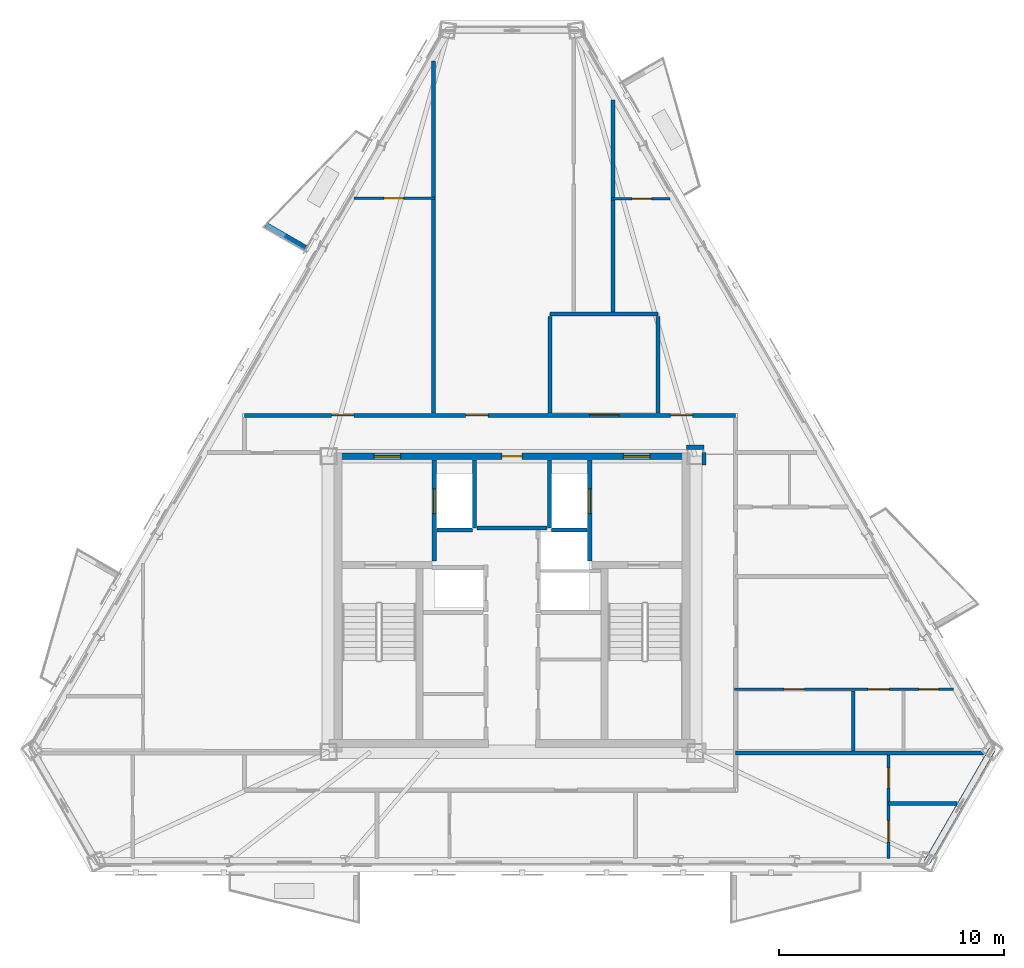
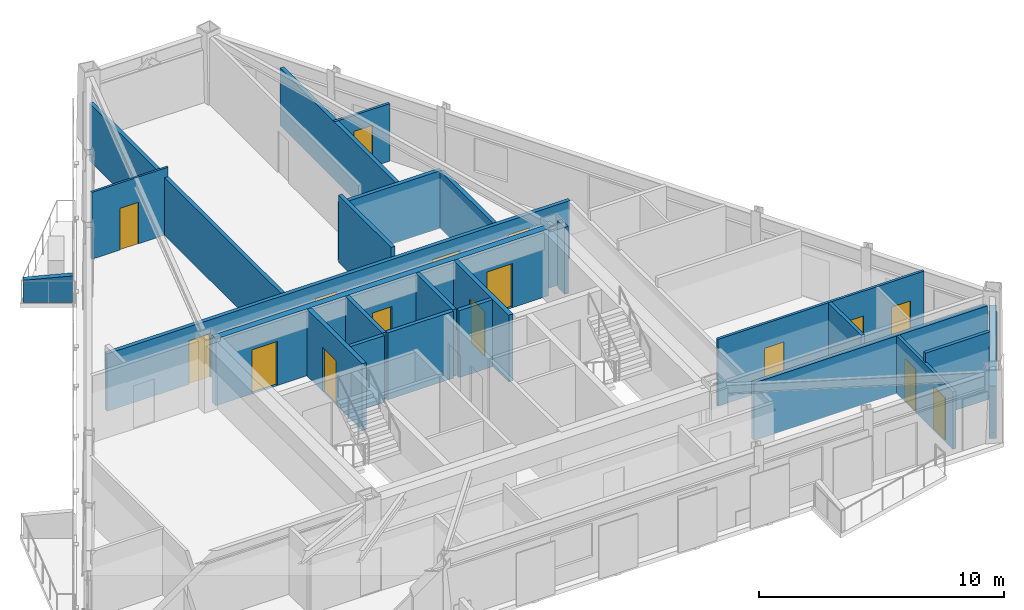
# One storey, part 4 of 8: 25 walls, 16 doors, 16 openings.
"""IFC4 building model written with IfcOpenShell, lengths in metres."""

from ifc_helpers import new_model, si_unit, direction, frame, frame_2d, origin, place, context, subcontext, project, spatial, polyline, rectangle, outline, extrude, material, layer, layer_set, type_object, element, fill, save


model = new_model("IFC4")

# Units and contexts
model_context = context("Model", 3, precision=1e-05, world=origin(), true_north=direction((0.0, 1.0)))
body_context = subcontext(model_context, "Body", "Model", "MODEL_VIEW")
ifc_project = project(units=[si_unit("LENGTHUNIT", "METRE"), si_unit("AREAUNIT", "SQUARE_METRE"), si_unit("VOLUMEUNIT", "CUBIC_METRE"), si_unit("PLANEANGLEUNIT", "RADIAN"), si_unit("MASSUNIT", "GRAM", prefix="KILO")], contexts=[model_context])

# Site, building, storey
site_placement = place(None, origin())
site = spatial("IfcSite", under=ifc_project, at=site_placement, CompositionType="ELEMENT")
building_placement = place(site_placement, origin())
building = spatial("IfcBuilding", under=site, at=building_placement, Name="Oramaril Tower", CompositionType="ELEMENT")
storey_placement = place(building_placement, frame((0.0, 0.0, 241.5)))
storey = spatial("IfcBuildingStorey", under=building, at=storey_placement, Name="L64", CompositionType="ELEMENT", Elevation=241.5)

# Walls
ifc_material_1 = material(Name="Warm Cream Limestone", Category="masonry")
ifc_layer_1 = layer(ifc_material_1, 0.2900390625)
ifc_layer_set_1 = layer_set([ifc_layer_1], Name="WT-EXT29")
wall_type_1 = type_object("IfcWallType", Name="WT-EXT29", PredefinedType="SOLIDWALL", material=ifc_layer_set_1)
wall_1_placement = place(storey_placement, frame((55.9755859375, 6.10546875, 0.0), z_axis=(0.0, 0.0, 1.0), x_axis=(0.500002342851, 0.866024051134, 0.0)))
element("IfcWall", 1, at=wall_1_placement, inside=storey, type_object=wall_type_1, Name="L64 Tower Limestone Facade Wall 3M", PredefinedType="SOLIDWALL", context=body_context, shape_type="SweptSolid", body=[
    extrude(rectangle(XDim=5.763671875, YDim=0.2900390625, at=frame_2d((2.8818359375, 0.0))), origin(), (0.0, 0.0, 1.0), 2.636962890625),
])
ifc_material_2 = material(Name="Concrete C40/50", Category="concrete")
ifc_layer_2 = layer(ifc_material_2, 0.22998046875)
ifc_layer_set_2 = layer_set([ifc_layer_2], Name="WT-PRP23")
wall_type_2 = type_object("IfcWallType", Name="WT-PRP23", PredefinedType="PARAPET", material=ifc_layer_set_2)
wall_2_placement = place(storey_placement, frame((28.335693359375, 33.411865234375, 0.0), z_axis=(0.0, 0.0, 1.0), x_axis=(-0.866042246008, 0.499970827278, 0.0)))
element("IfcWall", 2, at=wall_2_placement, inside=storey, type_object=wall_type_2, Name="L64 Trapezoidal Balcony Frame Cheek L64-BAL-NW1-R", PredefinedType="PARAPET", context=body_context, shape_type="SweptSolid", body=[
    extrude(outline(polyline([(0.0, 0.0), (2.0419921875, 0.0), (2.0419921875, 1.10009765625), (0.0, 1.320068359375), (0.0, 0.0)])), frame((0.0, 0.114990234375, 0.0), z_axis=(0.0, -1.0, 0.0), x_axis=(1.0, 0.0, 0.0)), (0.0, 0.0, 1.0), 0.22998046875),
])

# Wall, opening, door
ifc_material_3 = material(Name="Acoustic Gypsum Board Partition")
ifc_layer_3 = layer(ifc_material_3, 0.10009765625)
ifc_layer_set_3 = layer_set([ifc_layer_3], Name="WT-PT10")
wall_type_3 = type_object("IfcWallType", Name="WT-PT10", PredefinedType="PARTITIONING", material=ifc_layer_set_3)
wall_3_placement = place(storey_placement, frame((30.478759765625, 35.6298828125, 0.0), z_axis=(0.0, 0.0, 1.0), x_axis=(1.0, 0.0, 0.0)))
wall_3 = element("IfcWall", 3, at=wall_3_placement, inside=storey, type_object=wall_type_3, Name="L64 Interior Partition PT-10", PredefinedType="PARTITIONING", context=body_context, shape_type="SweptSolid", body=[
    extrude(rectangle(XDim=3.603271484375, YDim=0.10009765625, at=frame_2d((1.8017578125, 0.0))), origin(), (0.0, 0.0, 1.0), 3.340087890625),
])
opening_1_placement = place(wall_3_placement, frame((1.32177734375, 0.0, 0.0)))
opening_1 = element("IfcOpeningElement", 4, at=opening_1_placement, cuts=wall_3, Name="Opening D-L64-15", PredefinedType="OPENING", context=body_context, shape_type="SweptSolid", body=[
    extrude(rectangle(XDim=0.8798828125, YDim=2.080078125, at=frame_2d((0.43994140625, 1.0400390625))), frame((0.0, 0.050048828125, 0.0), z_axis=(0.0, -1.0, 0.0), x_axis=(1.0, 0.0, 0.0)), (0.0, 0.0, 1.0), 0.10009765625),
])
ifc_material_4 = material(Name="FSC Brazilian Freijo Hardwood", Category="wood")
door_type_1 = type_object("IfcDoorType", Name="DT-BATH", OperationType="NOTDEFINED", PredefinedType="DOOR", material=ifc_material_4)
door_1_placement = place(opening_1_placement, origin())
door_1 = element("IfcDoor", 5, at=door_1_placement, inside=storey, type_object=door_type_1, Name="L64 Flat L64-U7 Bathroom Door D-L64-15", OperationType="SINGLE_SWING_LEFT", OverallHeight=2.080078125, OverallWidth=0.8798828125, PredefinedType="DOOR", context=body_context, shape_type="SweptSolid", body=[
    extrude(rectangle(XDim=0.8798828125, YDim=2.080078125, at=frame_2d((0.43994140625, 1.0400390625))), frame((0.0, 0.02490234375, 0.0), z_axis=(0.0, -1.0, 0.0), x_axis=(1.0, 0.0, 0.0)), (0.0, 0.0, 1.0), 0.050048828125),
])
fill(opening_1, door_1)

# Wall, openings, doors
ifc_material_5 = material(Name="Acoustic Gypsum Board Partition")
ifc_layer_4 = layer(ifc_material_5, 0.1201171875)
ifc_layer_set_4 = layer_set([ifc_layer_4], Name="WT-PT12")
wall_type_4 = type_object("IfcWallType", Name="WT-PT12", PredefinedType="PARTITIONING", material=ifc_layer_set_4)
wall_4_placement = place(storey_placement, frame((47.39990234375, 13.780029296875, 0.0), z_axis=(0.0, 0.0, 1.0), x_axis=(1.0, 0.0, 0.0)))
wall_4 = element("IfcWall", 6, at=wall_4_placement, inside=storey, type_object=wall_type_4, Name="L64 Interior Partition PT-12", PredefinedType="PARTITIONING", context=body_context, shape_type="SweptSolid", body=[
    extrude(rectangle(XDim=9.736328125, YDim=0.1201171875, at=frame_2d((4.8681640625, 0.0))), origin(), (0.0, 0.0, 1.0), 3.340087890625),
])
opening_2_placement = place(wall_4_placement, frame((2.193115234375, 0.0, 0.0)))
opening_2 = element("IfcOpeningElement", 7, at=opening_2_placement, cuts=wall_4, Name="Opening D-L64-04", PredefinedType="OPENING", context=body_context, shape_type="SweptSolid", body=[
    extrude(rectangle(XDim=0.919921875, YDim=2.1201171875, at=frame_2d((0.4599609375, 1.06005859375))), frame((0.0, 0.06005859375, 0.0), z_axis=(0.0, -1.0, 0.0), x_axis=(1.0, 0.0, 0.0)), (0.0, 0.0, 1.0), 0.1201171875),
])
opening_3_placement = place(wall_4_placement, frame((5.92822265625, 0.0, 0.0)))
opening_3 = element("IfcOpeningElement", 8, at=opening_3_placement, cuts=wall_4, Name="Opening D-L64-05", PredefinedType="OPENING", context=body_context, shape_type="SweptSolid", body=[
    extrude(rectangle(XDim=0.949951171875, YDim=2.10009765625, at=frame_2d((0.47509765625, 1.050048828125))), frame((0.0, 0.06005859375, 0.0), z_axis=(0.0, -1.0, 0.0), x_axis=(1.0, 0.0, 0.0)), (0.0, 0.0, 1.0), 0.1201171875),
])
opening_4_placement = place(wall_4_placement, frame((8.203857421875, 0.0, 0.0)))
opening_4 = element("IfcOpeningElement", 9, at=opening_4_placement, cuts=wall_4, Name="Opening D-L64-06", PredefinedType="OPENING", context=body_context, shape_type="SweptSolid", body=[
    extrude(rectangle(XDim=0.8798828125, YDim=2.080078125, at=frame_2d((0.43994140625, 1.0400390625))), frame((0.0, 0.06005859375, 0.0), z_axis=(0.0, -1.0, 0.0), x_axis=(1.0, 0.0, 0.0)), (0.0, 0.0, 1.0), 0.1201171875),
])
door_2_placement = place(opening_4_placement, origin())
door_2 = element("IfcDoor", 10, at=door_2_placement, inside=storey, type_object=door_type_1, Name="L64 Flat L64-U5 Bathroom Door D-L64-06", OperationType="SINGLE_SWING_RIGHT", OverallHeight=2.080078125, OverallWidth=0.8798828125, PredefinedType="DOOR", context=body_context, shape_type="SweptSolid", body=[
    extrude(rectangle(XDim=0.8798828125, YDim=2.080078125, at=frame_2d((0.43994140625, 1.0400390625))), frame((0.0, 0.02490234375, 0.0), z_axis=(0.0, -1.0, 0.0), x_axis=(1.0, 0.0, 0.0)), (0.0, 0.0, 1.0), 0.050048828125),
])
fill(opening_4, door_2)
ifc_material_6 = material(Name="FSC Brazilian Freijo Hardwood", Category="wood")
door_type_2 = type_object("IfcDoorType", Name="DT-BED", OperationType="NOTDEFINED", PredefinedType="DOOR", material=ifc_material_6)
door_3_placement = place(opening_2_placement, origin())
door_3 = element("IfcDoor", 11, at=door_3_placement, inside=storey, type_object=door_type_2, Name="L64 Flat L64-U5 Master Bedroom Door D-L64-04", OperationType="SINGLE_SWING_RIGHT", OverallHeight=2.1201171875, OverallWidth=0.919921875, PredefinedType="DOOR", context=body_context, shape_type="SweptSolid", body=[
    extrude(rectangle(XDim=0.919921875, YDim=2.1201171875, at=frame_2d((0.4599609375, 1.06005859375))), frame((0.0, 0.02490234375, 0.0), z_axis=(0.0, -1.0, 0.0), x_axis=(1.0, 0.0, 0.0)), (0.0, 0.0, 1.0), 0.050048828125),
])
fill(opening_2, door_3)
ifc_material_7 = material(Name="FSC Brazilian Freijo Hardwood", Category="wood")
door_type_3 = type_object("IfcDoorType", Name="DT-STDY", OperationType="NOTDEFINED", PredefinedType="DOOR", material=ifc_material_7)
door_4_placement = place(opening_3_placement, origin())
door_4 = element("IfcDoor", 12, at=door_4_placement, inside=storey, type_object=door_type_3, Name="L64 Flat L64-U5 Kitchen Door D-L64-05", OperationType="SINGLE_SWING_LEFT", OverallHeight=2.10009765625, OverallWidth=0.949951171875, PredefinedType="DOOR", context=body_context, shape_type="SweptSolid", body=[
    extrude(rectangle(XDim=0.949951171875, YDim=2.10009765625, at=frame_2d((0.47509765625, 1.050048828125))), frame((0.0, 0.02490234375, 0.0), z_axis=(0.0, -1.0, 0.0), x_axis=(1.0, 0.0, 0.0)), (0.0, 0.0, 1.0), 0.050048828125),
])
fill(opening_3, door_4)

# Wall, opening, door
wall_5_placement = place(storey_placement, frame((41.91796875, 35.610107421875, 0.0), z_axis=(0.0, 0.0, 1.0), x_axis=(1.0, 0.0, 0.0)))
wall_5 = element("IfcWall", 13, at=wall_5_placement, inside=storey, type_object=wall_type_4, Name="L64 Interior Partition PT-12", PredefinedType="PARTITIONING", context=body_context, shape_type="SweptSolid", body=[
    extrude(rectangle(XDim=2.61474609375, YDim=0.1201171875, at=frame_2d((1.307373046875, 0.0))), origin(), (0.0, 0.0, 1.0), 2.873046875),
])
opening_5_placement = place(wall_5_placement, frame((0.90966796875, 0.0, 0.0)))
opening_5 = element("IfcOpeningElement", 14, at=opening_5_placement, cuts=wall_5, Name="Opening D-L64-14", PredefinedType="OPENING", context=body_context, shape_type="SweptSolid", body=[
    extrude(rectangle(XDim=0.8798828125, YDim=2.080078125, at=frame_2d((0.43994140625, 1.0400390625))), frame((0.0, 0.06005859375, 0.0), z_axis=(0.0, -1.0, 0.0), x_axis=(1.0, 0.0, 0.0)), (0.0, 0.0, 1.0), 0.1201171875),
])
door_5_placement = place(opening_5_placement, origin())
door_5 = element("IfcDoor", 15, at=door_5_placement, inside=storey, type_object=door_type_1, Name="L64 Flat L64-U9 Bathroom Door D-L64-14", OperationType="SINGLE_SWING_RIGHT", OverallHeight=2.080078125, OverallWidth=0.8798828125, PredefinedType="DOOR", context=body_context, shape_type="SweptSolid", body=[
    extrude(rectangle(XDim=0.8798828125, YDim=2.080078125, at=frame_2d((0.43994140625, 1.0400390625))), frame((0.0, 0.02490234375, 0.0), z_axis=(0.0, -1.0, 0.0), x_axis=(1.0, 0.0, 0.0)), (0.0, 0.0, 1.0), 0.050048828125),
])
fill(opening_5, door_5)

# Wall, openings, doors
ifc_material_8 = material(Name="Acoustic Gypsum Board Partition")
ifc_layer_5 = layer(ifc_material_8, 0.139892578125)
ifc_layer_set_5 = layer_set([ifc_layer_5], Name="WT-PT14")
wall_type_5 = type_object("IfcWallType", Name="WT-PT14", PredefinedType="PARTITIONING", material=ifc_layer_set_5)
wall_6_placement = place(storey_placement, frame((54.25, 6.25439453125, 0.0), z_axis=(0.0, 0.0, 1.0), x_axis=(0.0, 1.0, 0.0)))
wall_6 = element("IfcWall", 16, at=wall_6_placement, inside=storey, type_object=wall_type_5, Name="L64 Interior Partition PT-14", PredefinedType="PARTITIONING", context=body_context, shape_type="SweptSolid", body=[
    extrude(rectangle(XDim=4.6015625, YDim=0.139892578125, at=frame_2d((2.30078125, 0.0))), origin(), (0.0, 0.0, 1.0), 2.873046875),
])
opening_6_placement = place(wall_6_placement, frame((0.732177734375, 0.0, 0.0)))
opening_6 = element("IfcOpeningElement", 17, at=opening_6_placement, cuts=wall_6, Name="Opening D-L64-23", PredefinedType="OPENING", context=body_context, shape_type="SweptSolid", body=[
    extrude(rectangle(XDim=0.949951171875, YDim=2.10009765625, at=frame_2d((0.47509765625, 1.050048828125))), frame((0.0, 0.06982421875, 0.0), z_axis=(0.0, -1.0, 0.0), x_axis=(1.0, 0.0, 0.0)), (0.0, 0.0, 1.0), 0.139892578125),
])
opening_7_placement = place(wall_6_placement, frame((3.144287109375, 0.0, 0.0)))
opening_7 = element("IfcOpeningElement", 18, at=opening_7_placement, cuts=wall_6, Name="Opening D-L64-24", PredefinedType="OPENING", context=body_context, shape_type="SweptSolid", body=[
    extrude(rectangle(XDim=0.8798828125, YDim=2.080078125, at=frame_2d((0.43994140625, 1.0400390625))), frame((0.0, 0.06982421875, 0.0), z_axis=(0.0, -1.0, 0.0), x_axis=(1.0, 0.0, 0.0)), (0.0, 0.0, 1.0), 0.139892578125),
])
door_6_placement = place(opening_7_placement, origin())
door_6 = element("IfcDoor", 19, at=door_6_placement, inside=storey, type_object=door_type_1, Name="L64 Flat L64-U3 Bathroom Door D-L64-24", OperationType="SINGLE_SWING_RIGHT", OverallHeight=2.080078125, OverallWidth=0.8798828125, PredefinedType="DOOR", context=body_context, shape_type="SweptSolid", body=[
    extrude(rectangle(XDim=0.8798828125, YDim=2.080078125, at=frame_2d((0.43994140625, 1.0400390625))), frame((0.0, 0.02490234375, 0.0), z_axis=(0.0, -1.0, 0.0), x_axis=(1.0, 0.0, 0.0)), (0.0, 0.0, 1.0), 0.050048828125),
])
fill(opening_7, door_6)
door_7_placement = place(opening_6_placement, origin())
door_7 = element("IfcDoor", 20, at=door_7_placement, inside=storey, type_object=door_type_3, Name="L64 Flat L64-U3 Kitchen Door D-L64-23", OperationType="SINGLE_SWING_LEFT", OverallHeight=2.10009765625, OverallWidth=0.949951171875, PredefinedType="DOOR", context=body_context, shape_type="SweptSolid", body=[
    extrude(rectangle(XDim=0.949951171875, YDim=2.10009765625, at=frame_2d((0.47509765625, 1.050048828125))), frame((0.0, 0.02490234375, 0.0), z_axis=(0.0, -1.0, 0.0), x_axis=(1.0, 0.0, 0.0)), (0.0, 0.0, 1.0), 0.050048828125),
])
fill(opening_6, door_7)

# Walls
ifc_material_9 = material(Name="Acoustic Gypsum Board Partition")
ifc_layer_6 = layer(ifc_material_9, 0.159912109375)
ifc_layer_set_6 = layer_set([ifc_layer_6], Name="WT-PT16")
wall_type_6 = type_object("IfcWallType", Name="WT-PT16", PredefinedType="PARTITIONING", material=ifc_layer_set_6)
wall_7_placement = place(storey_placement, frame((54.24951171875, 8.699951171875, 0.0), z_axis=(0.0, 0.0, 1.0), x_axis=(1.0, 0.0, 0.0)))
element("IfcWall", 21, at=wall_7_placement, inside=storey, type_object=wall_type_6, Name="L64 Interior Partition PT-16", PredefinedType="PARTITIONING", context=body_context, shape_type="SweptSolid", body=[
    extrude(rectangle(XDim=3.052001953125, YDim=0.159912109375, at=frame_2d((1.52587890625, 0.0))), origin(), (0.0, 0.0, 1.0), 3.340087890625),
])
wall_8_placement = place(storey_placement, frame((52.68994140625, 11.0439453125, 0.0), z_axis=(0.0, 0.0, 1.0), x_axis=(0.0, 1.0, 0.0)))
element("IfcWall", 22, at=wall_8_placement, inside=storey, type_object=wall_type_6, Name="L64 Interior Partition PT-16", PredefinedType="PARTITIONING", context=body_context, shape_type="SweptSolid", body=[
    extrude(rectangle(XDim=2.672119140625, YDim=0.159912109375, at=frame_2d((1.3359375, 0.0))), origin(), (0.0, 0.0, 1.0), 3.340087890625),
])
ifc_material_10 = material(Name="Autoclaved Cellular Concrete Block", Category="concrete")
ifc_layer_7 = layer(ifc_material_10, 0.179931640625)
ifc_layer_set_7 = layer_set([ifc_layer_7], Name="WT-PT18")
wall_type_7 = type_object("IfcWallType", Name="WT-PT18", PredefinedType="PARTITIONING", material=ifc_layer_set_7)
wall_9_placement = place(storey_placement, frame((35.840087890625, 20.9599609375, 0.0), z_axis=(0.0, 0.0, 1.0), x_axis=(0.0, 1.0, 0.0)))
element("IfcWall", 23, at=wall_9_placement, inside=storey, type_object=wall_type_7, Name="L64 FL-1 East Shaft Wall", PredefinedType="PARTITIONING", context=body_context, shape_type="SweptSolid", body=[
    extrude(rectangle(XDim=3.02001953125, YDim=0.179931640625, at=frame_2d((1.510009765625, 0.0))), origin(), (0.0, 0.0, 1.0), 3.340087890625),
])
wall_10_placement = place(storey_placement, frame((34.159912109375, 20.860107421875, 0.0), z_axis=(0.0, 0.0, 1.0), x_axis=(1.0, 0.0, 0.0)))
element("IfcWall", 24, at=wall_10_placement, inside=storey, type_object=wall_type_7, Name="L64 FL-1 South Shaft Wall", PredefinedType="PARTITIONING", context=body_context, shape_type="SweptSolid", body=[
    extrude(rectangle(XDim=1.580078125, YDim=0.179931640625, at=frame_2d((0.7900390625, 0.0))), origin(), (0.0, 0.0, 1.0), 3.340087890625),
])
wall_11_placement = place(storey_placement, frame((39.159912109375, 20.9599609375, 0.0), z_axis=(0.0, 0.0, 1.0), x_axis=(0.0, 1.0, 0.0)))
element("IfcWall", 25, at=wall_11_placement, inside=storey, type_object=wall_type_7, Name="L64 FL-2 West Shaft Wall", PredefinedType="PARTITIONING", context=body_context, shape_type="SweptSolid", body=[
    extrude(rectangle(XDim=3.02001953125, YDim=0.179931640625, at=frame_2d((1.510009765625, 0.0))), origin(), (0.0, 0.0, 1.0), 3.340087890625),
])
wall_12_placement = place(storey_placement, frame((39.260009765625, 20.860107421875, 0.0), z_axis=(0.0, 0.0, 1.0), x_axis=(1.0, 0.0, 0.0)))
element("IfcWall", 26, at=wall_12_placement, inside=storey, type_object=wall_type_7, Name="L64 FL-2 South Shaft Wall", PredefinedType="PARTITIONING", context=body_context, shape_type="SweptSolid", body=[
    extrude(rectangle(XDim=1.580078125, YDim=0.179931640625, at=frame_2d((0.7900390625, 0.0))), origin(), (0.0, 0.0, 1.0), 3.340087890625),
])
wall_13_placement = place(storey_placement, frame((35.949951171875, 20.949951171875, 0.0), z_axis=(0.0, 0.0, 1.0), x_axis=(1.0, 0.0, 0.0)))
element("IfcWall", 27, at=wall_13_placement, inside=storey, type_object=wall_type_7, Name="L64 Lift Lobby North Partition", PredefinedType="PARTITIONING", context=body_context, shape_type="SweptSolid", body=[
    extrude(rectangle(XDim=3.10009765625, YDim=0.179931640625, at=frame_2d((1.550048828125, 0.0))), origin(), (0.0, 0.0, 1.0), 3.340087890625),
])
wall_14_placement = place(storey_placement, frame((47.449951171875, 10.949951171875, 0.0), z_axis=(0.0, 0.0, 1.0), x_axis=(1.0, 0.0, 0.0)))
element("IfcWall", 28, at=wall_14_placement, inside=storey, type_object=wall_type_7, Name="L64 Interior Partition PT-18", PredefinedType="PARTITIONING", context=body_context, shape_type="SweptSolid", body=[
    extrude(rectangle(XDim=11.021728515625, YDim=0.179931640625, at=frame_2d((5.5107421875, 0.0))), origin(), (0.0, 0.0, 1.0), 2.873046875),
])
wall_15_placement = place(storey_placement, frame((45.2548828125, 24.550048828125, 0.0), z_axis=(0.0, 0.0, 1.0), x_axis=(1.0, 0.0, 0.0)))
element("IfcWall", 29, at=wall_15_placement, inside=storey, type_object=wall_type_7, Name="L64 Interior Partition PT-18", PredefinedType="PARTITIONING", context=body_context, shape_type="SweptSolid", body=[
    extrude(rectangle(XDim=0.7900390625, YDim=0.179931640625, at=frame_2d((0.39501953125, 0.0))), origin(), (0.0, 0.0, 1.0), 2.873046875),
])

# Wall, openings, doors
wall_16_placement = place(storey_placement, frame((25.60009765625, 25.969970703125, 0.0), z_axis=(0.0, 0.0, 1.0), x_axis=(1.0, 0.0, 0.0)))
wall_16 = element("IfcWall", 30, at=wall_16_placement, inside=storey, type_object=wall_type_7, Name="L64 Interior Partition PT-18", PredefinedType="PARTITIONING", context=body_context, shape_type="SweptSolid", body=[
    extrude(rectangle(XDim=21.849853515625, YDim=0.179931640625, at=frame_2d((10.9248046875, 0.0))), origin(), (0.0, 0.0, 1.0), 2.873046875),
])
opening_8_placement = place(wall_16_placement, frame((3.8701171875, 0.0, 0.0)))
opening_8 = element("IfcOpeningElement", 31, at=opening_8_placement, cuts=wall_16, Name="Opening D-L64-10", PredefinedType="OPENING", context=body_context, shape_type="SweptSolid", body=[
    extrude(rectangle(XDim=1.0, YDim=2.179931640625, at=frame_2d((0.5, 1.08984375))), frame((0.0, 0.08984375, 0.0), z_axis=(0.0, -1.0, 0.0), x_axis=(1.0, 0.0, 0.0)), (0.0, 0.0, 1.0), 0.179931640625),
])
opening_9_placement = place(wall_16_placement, frame((9.832763671875, 0.0, 0.0)))
opening_9 = element("IfcOpeningElement", 32, at=opening_9_placement, cuts=wall_16, Name="Opening D-L64-11", PredefinedType="OPENING", context=body_context, shape_type="SweptSolid", body=[
    extrude(rectangle(XDim=1.0, YDim=2.179931640625, at=frame_2d((0.5, 1.08984375))), frame((0.0, 0.08984375, 0.0), z_axis=(0.0, -1.0, 0.0), x_axis=(1.0, 0.0, 0.0)), (0.0, 0.0, 1.0), 0.179931640625),
])
opening_10_placement = place(wall_16_placement, frame((15.35009765625, 0.0, 0.0)))
opening_10 = element("IfcOpeningElement", 33, at=opening_10_placement, cuts=wall_16, Name="Opening D-L64-12", PredefinedType="OPENING", context=body_context, shape_type="SweptSolid", body=[
    extrude(rectangle(XDim=1.300048828125, YDim=2.199951171875, at=frame_2d((0.64990234375, 1.10009765625))), frame((0.0, 0.08984375, 0.0), z_axis=(0.0, -1.0, 0.0), x_axis=(1.0, 0.0, 0.0)), (0.0, 0.0, 1.0), 0.179931640625),
])
opening_11_placement = place(wall_16_placement, frame((18.9404296875, 0.0, 0.0)))
opening_11 = element("IfcOpeningElement", 34, at=opening_11_placement, cuts=wall_16, Name="Opening D-L64-13", PredefinedType="OPENING", context=body_context, shape_type="SweptSolid", body=[
    extrude(rectangle(XDim=1.0, YDim=2.179931640625, at=frame_2d((0.5, 1.08984375))), frame((0.0, 0.08984375, 0.0), z_axis=(0.0, -1.0, 0.0), x_axis=(1.0, 0.0, 0.0)), (0.0, 0.0, 1.0), 0.179931640625),
])
ifc_material_11 = material(Name="FSC Brazilian Freijo Hardwood", Category="wood")
door_type_4 = type_object("IfcDoorType", Name="DT-APT", OperationType="NOTDEFINED", PredefinedType="DOOR", material=ifc_material_11)
door_8_placement = place(opening_8_placement, origin())
door_8 = element("IfcDoor", 35, at=door_8_placement, inside=storey, type_object=door_type_4, Name="L64 Flat L64-U7 Kitchen and Studio Apartment Door D-L64-10", OperationType="SINGLE_SWING_RIGHT", OverallHeight=2.179931640625, OverallWidth=1.0, PredefinedType="DOOR", context=body_context, shape_type="SweptSolid", body=[
    extrude(rectangle(XDim=1.0, YDim=2.179931640625, at=frame_2d((0.5, 1.08984375))), frame((0.0, 0.02490234375, 0.0), z_axis=(0.0, -1.0, 0.0), x_axis=(1.0, 0.0, 0.0)), (0.0, 0.0, 1.0), 0.050048828125),
])
fill(opening_8, door_8)
door_9_placement = place(opening_9_placement, origin())
door_9 = element("IfcDoor", 36, at=door_9_placement, inside=storey, type_object=door_type_4, Name="L64 Flat L64-U8 Kitchen and Studio Apartment Door D-L64-11", OperationType="SINGLE_SWING_LEFT", OverallHeight=2.179931640625, OverallWidth=1.0, PredefinedType="DOOR", context=body_context, shape_type="SweptSolid", body=[
    extrude(rectangle(XDim=1.0, YDim=2.179931640625, at=frame_2d((0.5, 1.08984375))), frame((0.0, 0.02490234375, 0.0), z_axis=(0.0, -1.0, 0.0), x_axis=(1.0, 0.0, 0.0)), (0.0, 0.0, 1.0), 0.050048828125),
])
fill(opening_9, door_9)
door_10_placement = place(opening_11_placement, origin())
door_10 = element("IfcDoor", 37, at=door_10_placement, inside=storey, type_object=door_type_4, Name="L64 Flat L64-U9 Kitchen and Studio Apartment Door D-L64-13", OperationType="SINGLE_SWING_LEFT", OverallHeight=2.179931640625, OverallWidth=1.0, PredefinedType="DOOR", context=body_context, shape_type="SweptSolid", body=[
    extrude(rectangle(XDim=1.0, YDim=2.179931640625, at=frame_2d((0.5, 1.08984375))), frame((0.0, 0.02490234375, 0.0), z_axis=(0.0, -1.0, 0.0), x_axis=(1.0, 0.0, 0.0)), (0.0, 0.0, 1.0), 0.050048828125),
])
fill(opening_11, door_10)
ifc_material_12 = material(Name="FSC Brazilian Freijo Hardwood", Category="wood")
door_type_5 = type_object("IfcDoorType", Name="DT-COM", OperationType="NOTDEFINED", PredefinedType="DOOR", material=ifc_material_12)
door_11_placement = place(opening_10_placement, origin())
door_11 = element("IfcDoor", 38, at=door_11_placement, inside=storey, type_object=door_type_5, Name="L64 L64 Floor Co-Working Office Suite Door D-L64-12", OperationType="SINGLE_SWING_RIGHT", OverallHeight=2.199951171875, OverallWidth=1.300048828125, PredefinedType="DOOR", context=body_context, shape_type="SweptSolid", body=[
    extrude(rectangle(XDim=1.300048828125, YDim=2.199951171875, at=frame_2d((0.64990234375, 1.10009765625))), frame((0.0, 0.02490234375, 0.0), z_axis=(0.0, -1.0, 0.0), x_axis=(1.0, 0.0, 0.0)), (0.0, 0.0, 1.0), 0.050048828125),
])
fill(opening_10, door_11)

# Walls
wall_17_placement = place(storey_placement, frame((39.199951171875, 30.469970703125, 0.0), z_axis=(0.0, 0.0, 1.0), x_axis=(1.0, 0.0, 0.0)))
element("IfcWall", 39, at=wall_17_placement, inside=storey, type_object=wall_type_7, Name="L64 Interior Partition PT-18", PredefinedType="PARTITIONING", context=body_context, shape_type="SweptSolid", body=[
    extrude(rectangle(XDim=4.800048828125, YDim=0.179931640625, at=frame_2d((2.39990234375, 0.0))), origin(), (0.0, 0.0, 1.0), 2.873046875),
])
wall_18_placement = place(storey_placement, frame((34.0, 26.06396484375, 0.0), z_axis=(0.0, 0.0, 1.0), x_axis=(0.0, 1.0, 0.0)))
element("IfcWall", 40, at=wall_18_placement, inside=storey, type_object=wall_type_7, Name="L64 Interior Partition PT-18", PredefinedType="PARTITIONING", context=body_context, shape_type="SweptSolid", body=[
    extrude(rectangle(XDim=15.6650390625, YDim=0.179931640625, at=frame_2d((7.83251953125, 0.0))), origin(), (0.0, 0.0, 1.0), 2.873046875),
])
wall_19_placement = place(storey_placement, frame((39.199951171875, 26.06396484375, 0.0), z_axis=(0.0, 0.0, 1.0), x_axis=(0.0, 1.0, 0.0)))
element("IfcWall", 41, at=wall_19_placement, inside=storey, type_object=wall_type_7, Name="L64 Interior Partition PT-18", PredefinedType="PARTITIONING", context=body_context, shape_type="SweptSolid", body=[
    extrude(rectangle(XDim=4.31201171875, YDim=0.179931640625, at=frame_2d((2.156005859375, 0.0))), origin(), (0.0, 0.0, 1.0), 3.340087890625),
])
wall_20_placement = place(storey_placement, frame((42.0, 30.56396484375, 0.0), z_axis=(0.0, 0.0, 1.0), x_axis=(0.0, 1.0, 0.0)))
element("IfcWall", 42, at=wall_20_placement, inside=storey, type_object=wall_type_7, Name="L64 Interior Partition PT-18", PredefinedType="PARTITIONING", context=body_context, shape_type="SweptSolid", body=[
    extrude(rectangle(XDim=9.432861328125, YDim=0.179931640625, at=frame_2d((4.71630859375, 0.0))), origin(), (0.0, 0.0, 1.0), 2.873046875),
])
wall_21_placement = place(storey_placement, frame((44.0, 26.06396484375, 0.0), z_axis=(0.0, 0.0, 1.0), x_axis=(0.0, 1.0, 0.0)))
element("IfcWall", 43, at=wall_21_placement, inside=storey, type_object=wall_type_7, Name="L64 Interior Partition PT-18", PredefinedType="PARTITIONING", context=body_context, shape_type="SweptSolid", body=[
    extrude(rectangle(XDim=4.31201171875, YDim=0.179931640625, at=frame_2d((2.156005859375, 0.0))), origin(), (0.0, 0.0, 1.0), 2.873046875),
])
wall_22_placement = place(storey_placement, frame((46.050048828125, 23.7548828125, 0.0), z_axis=(0.0, 0.0, 1.0), x_axis=(0.0, 1.0, 0.0)))
element("IfcWall", 44, at=wall_22_placement, inside=storey, type_object=wall_type_7, Name="L64 Interior Partition PT-18", PredefinedType="PARTITIONING", context=body_context, shape_type="SweptSolid", body=[
    extrude(rectangle(XDim=0.565185546875, YDim=0.179931640625, at=frame_2d((0.28271484375, 0.0))), origin(), (0.0, 0.0, 1.0), 3.340087890625),
])

# Wall, openings, doors
ifc_material_13 = material(Name="Concrete C50/60", Category="concrete")
ifc_layer_8 = layer(ifc_material_13, 0.300048828125)
ifc_layer_set_8 = layer_set([ifc_layer_8], Name="WT-SH30")
wall_type_8 = type_object("IfcWallType", Name="WT-SH30", PredefinedType="SHEAR", material=ifc_layer_set_8)
wall_23_placement = place(storey_placement, frame((29.64990234375, 24.14990234375, 0.0), z_axis=(0.0, 0.0, 1.0), x_axis=(1.0, 0.0, 0.0)))
wall_23 = element("IfcWall", 45, at=wall_23_placement, inside=storey, type_object=wall_type_8, Name="L64 Core Shear Wall CW-N", PredefinedType="SHEAR", context=body_context, shape_type="SweptSolid", body=[
    extrude(rectangle(XDim=15.7001953125, YDim=0.300048828125, at=frame_2d((7.85009765625, 0.0))), origin(), (0.0, 0.0, 1.0), 3.340087890625),
])
opening_12_placement = place(wall_23_placement, frame((1.699951171875, 0.0, 0.0)))
opening_12 = element("IfcOpeningElement", 46, at=opening_12_placement, cuts=wall_23, Name="Opening D-L64-FFL1", PredefinedType="OPENING", context=body_context, shape_type="SweptSolid", body=[
    extrude(rectangle(XDim=1.199951171875, YDim=2.199951171875, at=frame_2d((0.60009765625, 1.10009765625))), frame((0.0, 0.14990234375, 0.0), z_axis=(0.0, -1.0, 0.0), x_axis=(1.0, 0.0, 0.0)), (0.0, 0.0, 1.0), 0.300048828125),
])
opening_13_placement = place(wall_23_placement, frame((12.800048828125, 0.0, 0.0)))
opening_13 = element("IfcOpeningElement", 47, at=opening_13_placement, cuts=wall_23, Name="Opening D-L64-FFL2", PredefinedType="OPENING", context=body_context, shape_type="SweptSolid", body=[
    extrude(rectangle(XDim=1.199951171875, YDim=2.199951171875, at=frame_2d((0.60009765625, 1.10009765625))), frame((0.0, 0.14990234375, 0.0), z_axis=(0.0, -1.0, 0.0), x_axis=(1.0, 0.0, 0.0)), (0.0, 0.0, 1.0), 0.300048828125),
])
opening_14_placement = place(wall_23_placement, frame((7.39990234375, 0.0, 0.0)))
opening_14 = element("IfcOpeningElement", 48, at=opening_14_placement, cuts=wall_23, Name="Opening D-L64-SV1", PredefinedType="OPENING", context=body_context, shape_type="SweptSolid", body=[
    extrude(rectangle(XDim=0.89990234375, YDim=2.050048828125, at=frame_2d((0.449951171875, 1.02490234375))), frame((0.0, 0.14990234375, 0.0), z_axis=(0.0, -1.0, 0.0), x_axis=(1.0, 0.0, 0.0)), (0.0, 0.0, 1.0), 0.300048828125),
])
ifc_material_14 = material(Name="Painted Galvanised Steel", Category="steel")
door_type_6 = type_object("IfcDoorType", Name="DT-FFL", OperationType="NOTDEFINED", PredefinedType="DOOR", material=ifc_material_14)
door_12_placement = place(opening_12_placement, origin())
door_12 = element("IfcDoor", 49, at=door_12_placement, inside=storey, type_object=door_type_6, Name="L64 Firefighting Lobby 1 Fire Door", OperationType="SINGLE_SWING_LEFT", OverallHeight=2.199951171875, OverallWidth=1.199951171875, PredefinedType="DOOR", context=body_context, shape_type="SweptSolid", body=[
    extrude(rectangle(XDim=1.199951171875, YDim=2.199951171875, at=frame_2d((0.60009765625, 1.10009765625))), frame((0.0, 0.02490234375, 0.0), z_axis=(0.0, -1.0, 0.0), x_axis=(1.0, 0.0, 0.0)), (0.0, 0.0, 1.0), 0.050048828125),
])
fill(opening_12, door_12)
door_13_placement = place(opening_13_placement, origin())
door_13 = element("IfcDoor", 50, at=door_13_placement, inside=storey, type_object=door_type_6, Name="L64 Firefighting Lobby 2 Fire Door", OperationType="SINGLE_SWING_RIGHT", OverallHeight=2.199951171875, OverallWidth=1.199951171875, PredefinedType="DOOR", context=body_context, shape_type="SweptSolid", body=[
    extrude(rectangle(XDim=1.199951171875, YDim=2.199951171875, at=frame_2d((0.60009765625, 1.10009765625))), frame((0.0, 0.02490234375, 0.0), z_axis=(0.0, -1.0, 0.0), x_axis=(1.0, 0.0, 0.0)), (0.0, 0.0, 1.0), 0.050048828125),
])
fill(opening_13, door_13)
ifc_material_15 = material(Name="Painted Galvanised Steel", Category="steel")
door_type_7 = type_object("IfcDoorType", Name="DT-SVC", OperationType="NOTDEFINED", PredefinedType="DOOR", material=ifc_material_15)
door_14_placement = place(opening_14_placement, origin())
door_14 = element("IfcDoor", 51, at=door_14_placement, inside=storey, type_object=door_type_7, Name="L64 Core Janitor Store Door", OperationType="SINGLE_SWING_LEFT", OverallHeight=2.050048828125, OverallWidth=0.89990234375, PredefinedType="DOOR", context=body_context, shape_type="SweptSolid", body=[
    extrude(rectangle(XDim=0.89990234375, YDim=2.050048828125, at=frame_2d((0.449951171875, 1.02490234375))), frame((0.0, 0.02490234375, 0.0), z_axis=(0.0, -1.0, 0.0), x_axis=(1.0, 0.0, 0.0)), (0.0, 0.0, 1.0), 0.050048828125),
])
fill(opening_14, door_14)

# Wall, opening, door
ifc_material_16 = material(Name="Autoclaved Cellular Concrete Block", Category="concrete")
ifc_layer_9 = layer(ifc_material_16, 0.199951171875)
ifc_layer_set_9 = layer_set([ifc_layer_9], Name="WT-SHF20")
wall_type_9 = type_object("IfcWallType", Name="WT-SHF20", PredefinedType="PARTITIONING", material=ifc_layer_set_9)
wall_24_placement = place(storey_placement, frame((34.0400390625, 19.47998046875, 0.0), z_axis=(0.0, 0.0, 1.0), x_axis=(0.0, 1.0, 0.0)))
wall_24 = element("IfcWall", 52, at=wall_24_placement, inside=storey, type_object=wall_type_9, Name="L64 FL-1 Lobby Shaft Wall", PredefinedType="PARTITIONING", context=body_context, shape_type="SweptSolid", body=[
    extrude(rectangle(XDim=4.5, YDim=0.199951171875, at=frame_2d((2.25, 0.0))), origin(), (0.0, 0.0, 1.0), 3.340087890625),
])
opening_15_placement = place(wall_24_placement, frame((2.1201171875, 0.0, 0.0)))
opening_15 = element("IfcOpeningElement", 53, at=opening_15_placement, cuts=wall_24, Name="Opening LD-L64-FL-1", PredefinedType="OPENING", context=body_context, shape_type="SweptSolid", body=[
    extrude(rectangle(XDim=1.10009765625, YDim=2.199951171875, at=frame_2d((0.550048828125, 1.10009765625))), frame((0.0, 0.10009765625, 0.0), z_axis=(0.0, -1.0, 0.0), x_axis=(1.0, 0.0, 0.0)), (0.0, 0.0, 1.0), 0.199951171875),
])
ifc_material_17 = material(Name="Stainless Steel 316L", Category="steel")
door_type_8 = type_object("IfcDoorType", Name="DT-LD1", OperationType="NOTDEFINED", PredefinedType="DOOR", material=ifc_material_17)
door_15_placement = place(opening_15_placement, origin())
door_15 = element("IfcDoor", 54, at=door_15_placement, inside=storey, type_object=door_type_8, Name="L64 Lift FL-1 Sliding Landing Door", OperationType="SLIDING_TO_LEFT", OverallHeight=2.199951171875, OverallWidth=1.10009765625, PredefinedType="DOOR", context=body_context, shape_type="SweptSolid", body=[
    extrude(rectangle(XDim=1.10009765625, YDim=2.199951171875, at=frame_2d((0.550048828125, 1.10009765625))), frame((0.0, 0.02490234375, 0.0), z_axis=(0.0, -1.0, 0.0), x_axis=(1.0, 0.0, 0.0)), (0.0, 0.0, 1.0), 0.050048828125),
])
fill(opening_15, door_15)

wall_25_placement = place(storey_placement, frame((40.9599609375, 19.47998046875, 0.0), z_axis=(0.0, 0.0, 1.0), x_axis=(0.0, 1.0, 0.0)))
wall_25 = element("IfcWall", 55, at=wall_25_placement, inside=storey, type_object=wall_type_9, Name="L64 FL-2 Lobby Shaft Wall", PredefinedType="PARTITIONING", context=body_context, shape_type="SweptSolid", body=[
    extrude(rectangle(XDim=4.5, YDim=0.199951171875, at=frame_2d((2.25, 0.0))), origin(), (0.0, 0.0, 1.0), 3.340087890625),
])
opening_16_placement = place(wall_25_placement, frame((2.1201171875, 0.0, 0.0)))
opening_16 = element("IfcOpeningElement", 56, at=opening_16_placement, cuts=wall_25, Name="Opening LD-L64-FL-2", PredefinedType="OPENING", context=body_context, shape_type="SweptSolid", body=[
    extrude(rectangle(XDim=1.10009765625, YDim=2.199951171875, at=frame_2d((0.550048828125, 1.10009765625))), frame((0.0, 0.10009765625, 0.0), z_axis=(0.0, -1.0, 0.0), x_axis=(1.0, 0.0, 0.0)), (0.0, 0.0, 1.0), 0.199951171875),
])
door_16_placement = place(opening_16_placement, origin())
door_16 = element("IfcDoor", 57, at=door_16_placement, inside=storey, type_object=door_type_8, Name="L64 Lift FL-2 Sliding Landing Door", OperationType="SLIDING_TO_RIGHT", OverallHeight=2.199951171875, OverallWidth=1.10009765625, PredefinedType="DOOR", context=body_context, shape_type="SweptSolid", body=[
    extrude(rectangle(XDim=1.10009765625, YDim=2.199951171875, at=frame_2d((0.550048828125, 1.10009765625))), frame((0.0, 0.02490234375, 0.0), z_axis=(0.0, -1.0, 0.0), x_axis=(1.0, 0.0, 0.0)), (0.0, 0.0, 1.0), 0.050048828125),
])
fill(opening_16, door_16)

save(model, "model.ifc")
